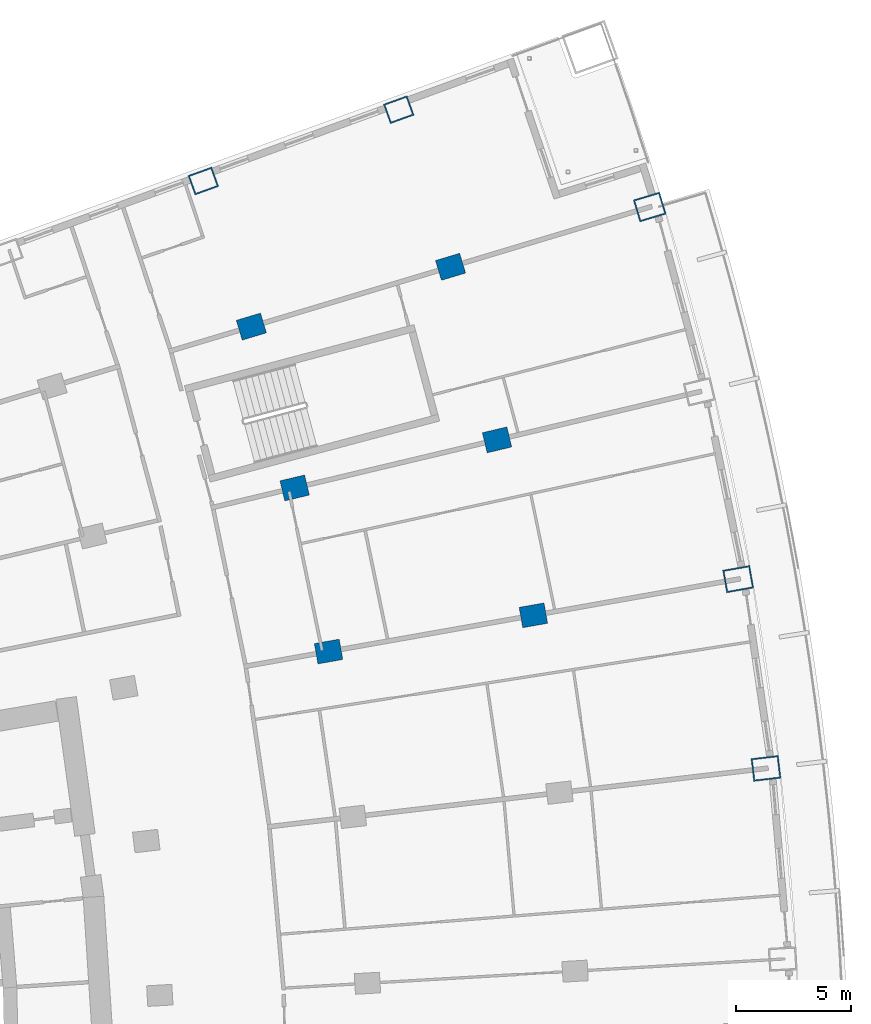
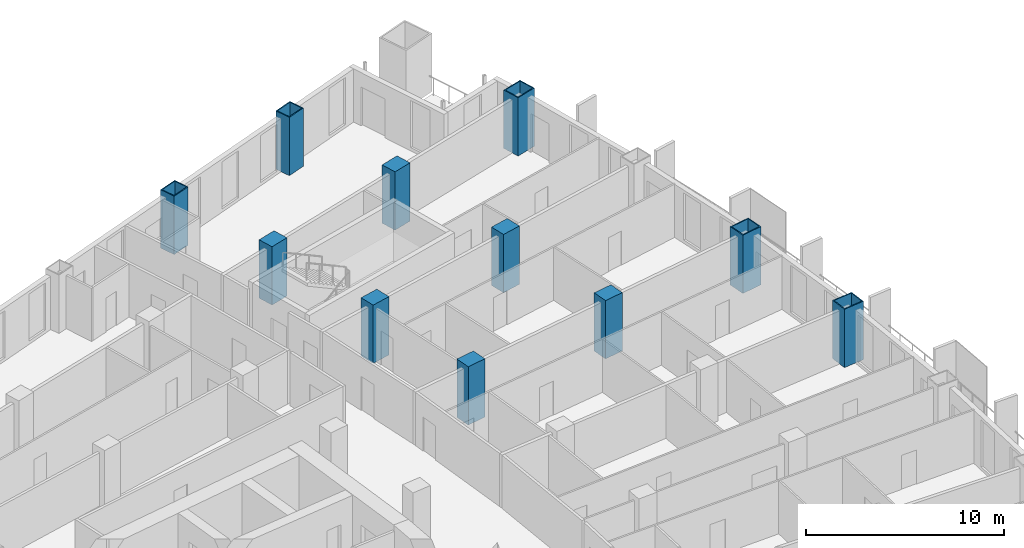
# One storey, part 10 of 25: 11 columns.
"""IFC4 building model written with IfcOpenShell, lengths in metres."""

from ifc_helpers import new_model, si_unit, direction, frame, origin, origin_2d, place, context, subcontext, project, spatial, rectangle, hollow_rectangle, extrude, material, material_profile, profile_set, type_object, element, save


model = new_model("IFC4")

# Units and contexts
model_context = context("Model", 3, precision=1e-05, world=origin(), true_north=direction((0.0, 1.0)))
body_context = subcontext(model_context, "Body", "Model", "MODEL_VIEW")
ifc_project = project(units=[si_unit("LENGTHUNIT", "METRE"), si_unit("AREAUNIT", "SQUARE_METRE"), si_unit("VOLUMEUNIT", "CUBIC_METRE"), si_unit("PLANEANGLEUNIT", "RADIAN"), si_unit("MASSUNIT", "GRAM", prefix="KILO")], contexts=[model_context])

# Site, building, storey
site_placement = place(None, origin())
site = spatial("IfcSite", under=ifc_project, at=site_placement, CompositionType="ELEMENT")
building_placement = place(site_placement, origin())
building = spatial("IfcBuilding", under=site, at=building_placement, Name="Alderwake Tower", CompositionType="ELEMENT")
storey_placement = place(building_placement, frame((0.0, 0.0, 46.39990234375)))
storey = spatial("IfcBuildingStorey", under=building, at=storey_placement, Name="L10", CompositionType="ELEMENT", Elevation=46.39990234375)

# Columns
ifc_material_1 = material(Name="Steel ASTM A572 Grade 50 concrete filled C70/85", Category="concrete")
ifc_material_profile_1 = material_profile(ifc_material_1, hollow_rectangle(XDim=0.89990234375, YDim=1.10009765625, WallThickness=0.06005859375, at=origin_2d()), Name="BOX 1100X900X60")
ifc_profile_set_1 = profile_set([ifc_material_profile_1], Name="Steel ASTM A572 Grade 50 concrete filled C70/85")
column_type_1 = type_object("IfcColumnType", Name="End column Z1", PredefinedType="COLUMN", material=ifc_profile_set_1)
for number, where, z_axis, x_axis, name in (
    (1, (37.500732421875, 103.25244140625, 0.0), (0.0, 0.0, 1.0), (-0.338379907748, 0.941009584453, 0.0), "Column R13-C3"),
    (2, (46.017822265625, 106.361328125, 0.0), (0.0, 0.0, 1.0), (-0.338687013201, 0.940899095062, 0.0), "Column R13-C4"),
):
    element("IfcColumn", number, at=place(storey_placement, frame(where, z_axis=z_axis, x_axis=x_axis)), inside=storey, type_object=column_type_1, Name=name, PredefinedType="COLUMN", context=body_context, shape_type="SweptSolid", body=[
        extrude(hollow_rectangle(XDim=0.89990234375, YDim=1.10009765625, WallThickness=0.06005859375, at=origin_2d()), origin(), (0.0, 0.0, 1.0), 3.60009765625),
    ])
ifc_material_2 = material(Name="Concrete C70/85", Category="concrete")
ifc_material_profile_2 = material_profile(ifc_material_2, rectangle(XDim=0.89990234375, YDim=1.10009765625, at=origin_2d()), Name="RC 1100X900")
ifc_profile_set_2 = profile_set([ifc_material_profile_2], Name="Concrete C70/85")
column_type_2 = type_object("IfcColumnType", Name="Interior column Z1", PredefinedType="COLUMN", material=ifc_profile_set_2)
for number, where, z_axis, x_axis, name in (
    (3, (42.959716796875, 82.740234375, 0.0), (0.0, 0.0, 1.0), (-0.174108800747, 0.984726421654, 0.0), "Column R10-C3"),
    (4, (51.8876953125, 84.31884765625, 0.0), (0.0, 0.0, 1.0), (-0.174108800747, 0.984726421654, 0.0), "Column R10-C4"),
    (5, (41.48291015625, 89.871826171875, 0.0), (0.0, 0.0, 1.0), (-0.231221547198, 0.972901123502, 0.0), "Column R11-C3"),
    (6, (50.3037109375, 91.96826171875, 0.0), (0.0, 0.0, 1.0), (-0.231221547198, 0.972901123502, 0.0), "Column R11-C4"),
    (7, (39.593017578125, 96.9052734375, 0.0), (0.0, 0.0, 1.0), (-0.287549418125, 0.957765802342, 0.0), "Column R12-C3"),
    (8, (48.27685546875, 99.512451171875, 0.0), (0.0, 0.0, 1.0), (-0.287549418125, 0.957765802342, 0.0), "Column R12-C4"),
):
    element("IfcColumn", number, at=place(storey_placement, frame(where, z_axis=z_axis, x_axis=x_axis)), inside=storey, type_object=column_type_2, Name=name, PredefinedType="COLUMN", context=body_context, shape_type="SweptSolid", body=[
        extrude(rectangle(XDim=0.89990234375, YDim=1.10009765625, at=origin_2d()), origin(), (0.0, 0.0, 1.0), 3.60009765625),
    ])
ifc_material_3 = material(Name="Steel ASTM A572 Grade 50 concrete filled C70/85", Category="concrete")
ifc_material_profile_3 = material_profile(ifc_material_3, hollow_rectangle(XDim=1.0, YDim=1.199951171875, WallThickness=0.06005859375, at=origin_2d()), Name="BOX 1200X1000X60")
ifc_profile_set_3 = profile_set([ifc_material_profile_3], Name="Steel ASTM A572 Grade 50 concrete filled C70/85")
column_type_3 = type_object("IfcColumnType", Name="Perimeter column Z1", PredefinedType="COLUMN", material=ifc_profile_set_3)
for number, where, z_axis, x_axis, name in (
    (9, (62.02783203125, 77.6455078125, 0.0), (0.0, 0.0, 1.0), (-0.116402054316, 0.993202175668, 0.0), "Column R09-C5"),
    (10, (60.81591796875, 85.8974609375, 0.0), (0.0, 0.0, 1.0), (-0.174108800747, 0.984726421654, 0.0), "Column R10-C5"),
    (11, (56.96044921875, 102.119384765625, 0.0), (0.0, 0.0, 1.0), (-0.287549418125, 0.957765802342, 0.0), "Column R12-C5"),
):
    element("IfcColumn", number, at=place(storey_placement, frame(where, z_axis=z_axis, x_axis=x_axis)), inside=storey, type_object=column_type_3, Name=name, PredefinedType="COLUMN", context=body_context, shape_type="SweptSolid", body=[
        extrude(hollow_rectangle(XDim=1.0, YDim=1.199951171875, WallThickness=0.06005859375, at=origin_2d()), origin(), (0.0, 0.0, 1.0), 3.60009765625),
    ])

save(model, "model.ifc")
